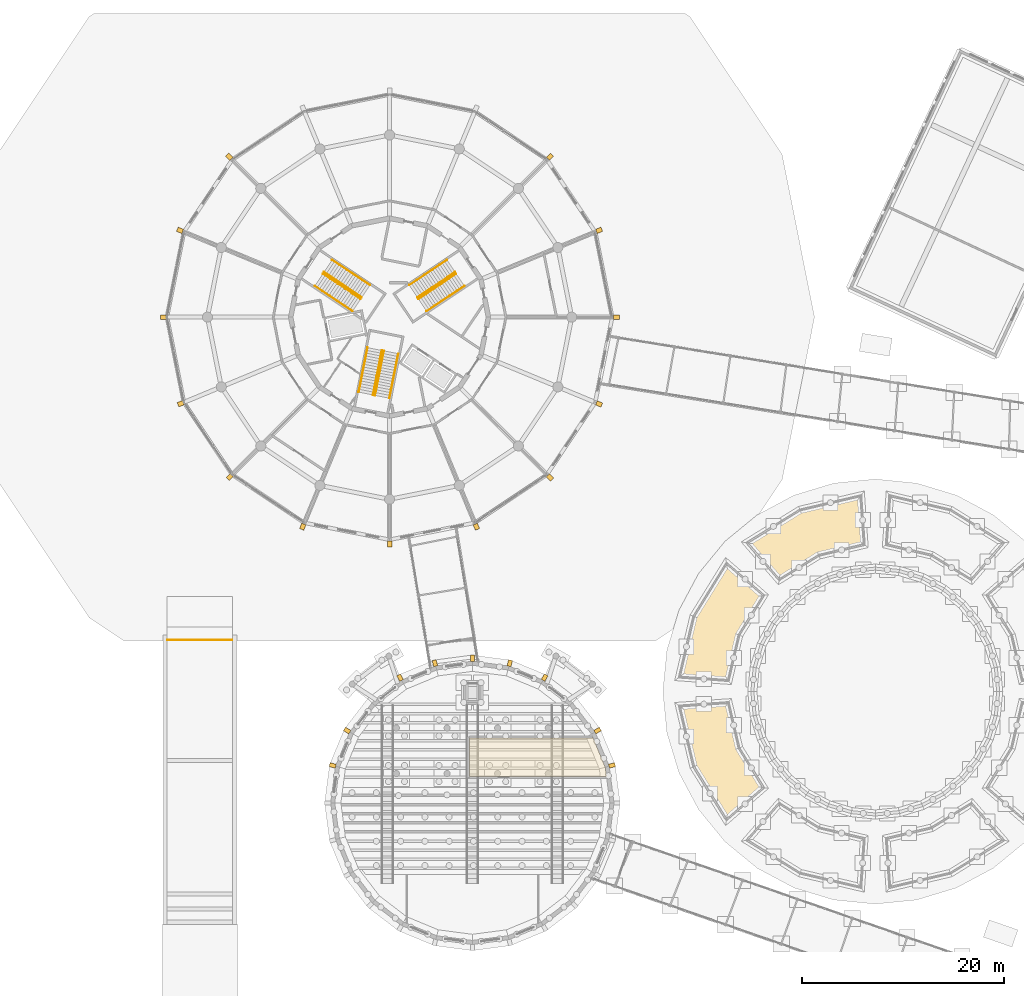
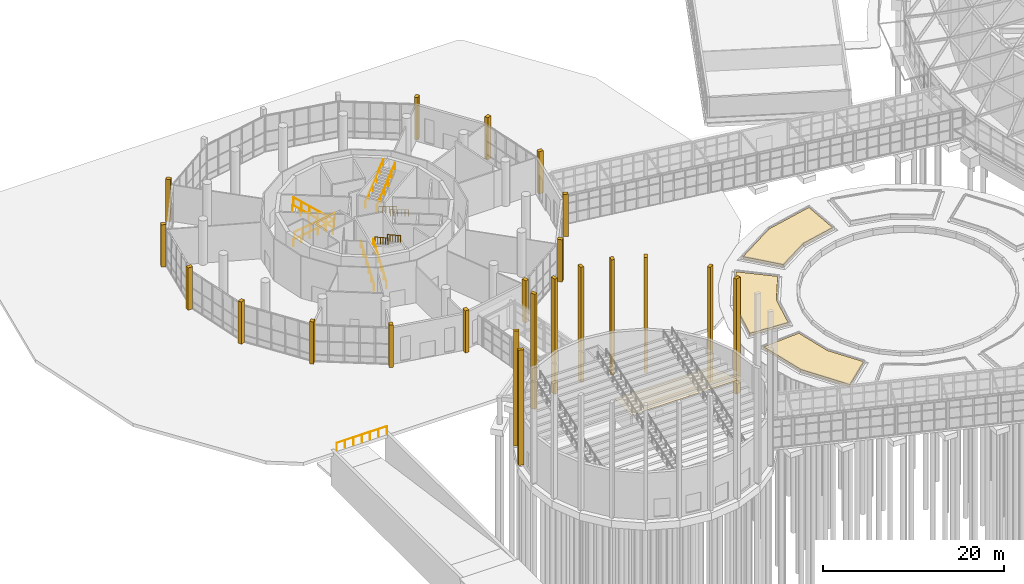
# One storey, part 214 of 226: 30 coverings, 13 railings.
"""IFC4 building model written with IfcOpenShell, lengths in metres."""

from ifc_helpers import new_model, si_unit, direction, frame, origin, origin_2d, place, context, subcontext, project, spatial, polyline, rectangle, circle, outline, extrude, material, layer, layer_set, type_object, element, save


model = new_model("IFC4")

# Units and contexts
model_context = context("Model", 3, precision=1e-05, world=origin(), true_north=direction((0.0, 1.0)))
body_context = subcontext(model_context, "Body", "Model", "MODEL_VIEW")
ifc_project = project(units=[si_unit("LENGTHUNIT", "METRE"), si_unit("AREAUNIT", "SQUARE_METRE"), si_unit("VOLUMEUNIT", "CUBIC_METRE"), si_unit("PLANEANGLEUNIT", "RADIAN"), si_unit("MASSUNIT", "GRAM", prefix="KILO")], contexts=[model_context])

# Site, building, storey
site_placement = place(None, origin())
site = spatial("IfcSite", under=ifc_project, at=site_placement, CompositionType="ELEMENT")
building_placement = place(site_placement, origin())
building = spatial("IfcBuilding", under=site, at=building_placement, Name="Ceibo Conservatory and Research Tower", CompositionType="ELEMENT")
storey_placement = place(building_placement, origin())
storey = spatial("IfcBuildingStorey", under=building, at=storey_placement, Name="L00", CompositionType="ELEMENT", Elevation=0.0)

# Covering
ifc_material_1 = material(Name="Aluminium ceiling panel", Category="aluminium")
ifc_layer_1 = layer(ifc_material_1, 0.050048828125)
ifc_layer_set_1 = layer_set([ifc_layer_1], Name="Aluminium ceiling panel")
covering_type_1 = type_object("IfcCoveringType", Name="Ceiling panel 50", PredefinedType="CEILING", material=ifc_layer_set_1)
covering_1_placement = place(storey_placement, frame((0.0, 0.0, 2.5)))
element("IfcCovering", 1, at=covering_1_placement, inside=storey, type_object=covering_type_1, Name="Ceiling plant room", PredefinedType="CEILING", context=body_context, shape_type="SweptSolid", body=[
    extrude(outline(polyline([(69.434326171875, 74.60009765625), (69.313232421875, 75.51904296875), (68.07861328125, 78.5), (68.07861328125, 78.39990234375), (55.89990234375, 78.39990234375), (55.89990234375, 74.60009765625), (69.434326171875, 74.60009765625)])), origin(), (0.0, 0.0, 1.0), 0.050048828125),
])

# Railing
ifc_material_2 = material(Name="Stainless steel AISI 316", Category="steel")
railing_type_1 = type_object("IfcRailingType", Name="Guard 1100", PredefinedType="GUARDRAIL", material=ifc_material_2)
railing_1_placement = place(storey_placement, frame((26.050048828125, 88.10009765625, 0.0)))
element("IfcRailing", 2, at=railing_1_placement, inside=storey, type_object=railing_type_1, Name="Ramp portal guard", PredefinedType="GUARDRAIL", context=body_context, shape_type="SweptSolid", body=[
    extrude(circle(Radius=0.02392578125, at=origin_2d()), frame((0.0, 0.0, 1.076171875), z_axis=(1.0, 0.0, 0.0), x_axis=(0.0, 1.0, 0.0)), (0.0, 0.0, 1.0), 6.39990234375),
    extrude(circle(Radius=0.02099609375, at=origin_2d()), origin(), (0.0, 0.0, 1.0), 1.052001953125),
    extrude(circle(Radius=0.02099609375, at=origin_2d()), frame((1.066650390625, 0.0, 0.0)), (0.0, 0.0, 1.0), 1.052001953125),
    extrude(circle(Radius=0.02099609375, at=origin_2d()), frame((2.13330078125, 0.0, 0.0)), (0.0, 0.0, 1.0), 1.052001953125),
    extrude(circle(Radius=0.02099609375, at=origin_2d()), frame((3.199951171875, 0.0, 0.0)), (0.0, 0.0, 1.0), 1.052001953125),
    extrude(circle(Radius=0.02099609375, at=origin_2d()), frame((4.2666015625, 0.0, 0.0)), (0.0, 0.0, 1.0), 1.052001953125),
    extrude(circle(Radius=0.02099609375, at=origin_2d()), frame((5.333251953125, 0.0, 0.0)), (0.0, 0.0, 1.0), 1.052001953125),
    extrude(circle(Radius=0.02099609375, at=origin_2d()), frame((6.39990234375, 0.0, 0.0)), (0.0, 0.0, 1.0), 1.052001953125),
])

# Coverings
ifc_material_3 = material(Name="Planting soil")
ifc_layer_2 = layer(ifc_material_3, 0.300048828125)
ifc_layer_set_2 = layer_set([ifc_layer_2], Name="Planting soil")
covering_type_2 = type_object("IfcCoveringType", Name="Planting bed soil 300", PredefinedType="FLOORING", material=ifc_layer_set_2)
covering_2_placement = place(storey_placement, origin())
element("IfcCovering", 3, at=covering_2_placement, inside=storey, type_object=covering_type_2, Name="Ceibo Court planting bed PB3", PredefinedType="FLOORING", context=body_context, shape_type="SweptSolid", body=[
    extrude(outline(polyline([(94.830078125, 97.58154296875), (94.50244140625, 102.26611328125), (88.595947265625, 100.875244140625), (83.435791015625, 97.68212890625), (86.5166015625, 94.137939453125), (90.392822265625, 96.53662109375), (94.830078125, 97.58154296875)])), origin(), (0.0, 0.0, 1.0), 0.300048828125),
])
covering_3_placement = place(storey_placement, origin())
element("IfcCovering", 4, at=covering_3_placement, inside=storey, type_object=covering_type_2, Name="Ceibo Court planting bed PB4", PredefinedType="FLOORING", context=body_context, shape_type="SweptSolid", body=[
    extrude(outline(polyline([(84.862060546875, 92.4833984375), (81.31787109375, 95.564208984375), (78.124755859375, 90.404052734375), (76.73388671875, 84.49755859375), (81.41845703125, 84.169921875), (82.46337890625, 88.607177734375), (84.862060546875, 92.4833984375)])), origin(), (0.0, 0.0, 1.0), 0.300048828125),
])
covering_4_placement = place(storey_placement, origin())
element("IfcCovering", 5, at=covering_4_placement, inside=storey, type_object=covering_type_2, Name="Ceibo Court planting bed PB5", PredefinedType="FLOORING", context=body_context, shape_type="SweptSolid", body=[
    extrude(outline(polyline([(81.41845703125, 81.830078125), (76.73388671875, 81.50244140625), (78.124755859375, 75.595947265625), (81.31787109375, 70.435791015625), (84.862060546875, 73.5166015625), (82.46337890625, 77.392822265625), (81.41845703125, 81.830078125)])), origin(), (0.0, 0.0, 1.0), 0.300048828125),
])
ifc_material_4 = material(Name="Concrete C35/45", Category="concrete")
covering_type_3 = type_object("IfcCoveringType", Name="Precast concrete pier 450x550", PredefinedType="CLADDING", material=ifc_material_4)
for number, where, z_axis, x_axis, name in (
    (6, (70.41796875, 120.0, 0.0), (0.0, 0.0, 1.0), (1.0, 0.0, 0.0), "Precast pier 00.01"),
    (7, (68.71142578125, 128.578857421875, 0.0), (0.0, 0.0, 1.0), (0.923879532511, 0.382683432365, 0.0), "Precast pier 00.02"),
    (8, (63.851806640625, 135.851806640625, 0.0), (0.0, 0.0, 1.0), (0.707106781187, 0.707106781187, 0.0), "Precast pier 00.03"),
    (9, (32.148193359375, 135.851806640625, 0.0), (0.0, 0.0, 1.0), (-0.707106781187, 0.707106781187, 0.0), "Precast pier 00.07"),
    (10, (27.28857421875, 128.578857421875, 0.0), (0.0, 0.0, 1.0), (-0.923879532511, 0.382683432365, 0.0), "Precast pier 00.08"),
    (11, (25.6533203125, 120.0, 0.0), (0.0, 0.0, 1.0), (-1.0, 0.0, 0.0), "Precast pier 00.09"),
    (12, (27.3544921875, 111.4482421875, 0.0), (0.0, 0.0, 1.0), (-0.923879532511, -0.382683432365, 0.0), "Precast pier 00.10"),
    (13, (32.198486328125, 104.198486328125, 0.0), (0.0, 0.0, 1.0), (-0.707106781187, -0.707106781187, 0.0), "Precast pier 00.11"),
    (14, (39.421142578125, 99.28857421875, 0.0), (0.0, 0.0, 1.0), (-0.382683432365, -0.923879532511, 0.0), "Precast pier 00.12"),
    (15, (48.0, 97.58203125, 0.0), (0.0, 0.0, 1.0), (0.0, -1.0, 0.0), "Precast pier 00.13"),
    (16, (56.578857421875, 99.28857421875, 0.0), (0.0, 0.0, 1.0), (0.382683432365, -0.923879532511, 0.0), "Precast pier 00.14"),
    (17, (63.851806640625, 104.148193359375, 0.0), (0.0, 0.0, 1.0), (0.707106781187, -0.707106781187, 0.0), "Precast pier 00.15"),
    (18, (68.71142578125, 111.421142578125, 0.0), (0.0, 0.0, 1.0), (0.923879532511, -0.382683432365, 0.0), "Precast pier 00.16"),
):
    element("IfcCovering", number, at=place(storey_placement, frame(where, z_axis=z_axis, x_axis=x_axis)), inside=storey, type_object=covering_type_3, Name=name, PredefinedType="CLADDING", context=body_context, shape_type="SweptSolid", body=[
        extrude(rectangle(XDim=0.570068359375, YDim=0.449951171875, at=origin_2d()), origin(), (0.0, 0.0, 1.0), 5.699951171875),
    ])
covering_type_4 = type_object("IfcCoveringType", Name="Precast concrete rib 400x600", PredefinedType="CLADDING", material=ifc_material_4)
for number, where, z_axis, x_axis, name in (
    (19, (69.983154296875, 75.698486328125, 0.0), (0.0, 0.0, 1.0), (0.965925826289, 0.258819045103, 0.0), "Concrete rib 01"),
    (20, (68.5556640625, 79.14501953125, 0.0), (0.0, 0.0, 1.0), (0.866025403784, 0.5, 0.0), "Concrete rib 02"),
):
    element("IfcCovering", number, at=place(storey_placement, frame(where, z_axis=z_axis, x_axis=x_axis)), inside=storey, type_object=covering_type_4, Name=name, PredefinedType="CLADDING", context=body_context, shape_type="SweptSolid", body=[
        extrude(rectangle(XDim=0.6201171875, YDim=0.39990234375, at=origin_2d()), origin(), (0.0, 0.0, 1.0), 15.550048828125),
    ])
covering_5_placement = place(storey_placement, frame((63.3251953125, 84.37548828125, 0.0), z_axis=(0.0, 0.0, 1.0), x_axis=(0.5, 0.866025403784, 0.0)))
element("IfcCovering", 21, at=covering_5_placement, inside=storey, type_object=covering_type_4, Name="Concrete rib 04 A", PredefinedType="CLADDING", context=body_context, shape_type="SweptSolid", body=[
    extrude(rectangle(XDim=0.6201171875, YDim=0.39990234375, at=origin_2d()), origin(), (0.0, 0.0, 1.0), 3.60009765625),
])
covering_6_placement = place(storey_placement, frame((63.3251953125, 84.37548828125, 3.800048828125), z_axis=(0.0, 0.0, 1.0), x_axis=(0.5, 0.866025403784, 0.0)))
element("IfcCovering", 22, at=covering_6_placement, inside=storey, type_object=covering_type_4, Name="Concrete rib 04 B", PredefinedType="CLADDING", context=body_context, shape_type="SweptSolid", body=[
    extrude(rectangle(XDim=0.6201171875, YDim=0.39990234375, at=origin_2d()), origin(), (0.0, 0.0, 1.0), 11.75),
])
covering_7_placement = place(storey_placement, frame((59.878662109375, 85.802978515625, 0.0), z_axis=(0.0, 0.0, 1.0), x_axis=(0.258819045103, 0.965925826289, 0.0)))
element("IfcCovering", 23, at=covering_7_placement, inside=storey, type_object=covering_type_4, Name="Concrete rib 05", PredefinedType="CLADDING", context=body_context, shape_type="SweptSolid", body=[
    extrude(rectangle(XDim=0.6201171875, YDim=0.39990234375, at=origin_2d()), origin(), (0.0, 0.0, 1.0), 15.550048828125),
])
covering_8_placement = place(storey_placement, frame((56.18017578125, 86.2900390625, 0.0), z_axis=(0.0, 0.0, 1.0), x_axis=(0.0, 1.0, 0.0)))
element("IfcCovering", 24, at=covering_8_placement, inside=storey, type_object=covering_type_4, Name="Concrete rib 06 A", PredefinedType="CLADDING", context=body_context, shape_type="SweptSolid", body=[
    extrude(rectangle(XDim=0.6201171875, YDim=0.39990234375, at=origin_2d()), origin(), (0.0, 0.0, 1.0), 4.0),
])
covering_9_placement = place(storey_placement, frame((56.18017578125, 86.2900390625, 4.199951171875), z_axis=(0.0, 0.0, 1.0), x_axis=(0.0, 1.0, 0.0)))
element("IfcCovering", 25, at=covering_9_placement, inside=storey, type_object=covering_type_4, Name="Concrete rib 06 B", PredefinedType="CLADDING", context=body_context, shape_type="SweptSolid", body=[
    extrude(rectangle(XDim=0.6201171875, YDim=0.39990234375, at=origin_2d()), origin(), (0.0, 0.0, 1.0), 11.35009765625),
])
covering_10_placement = place(storey_placement, frame((52.4814453125, 85.802978515625, 0.0), z_axis=(0.0, 0.0, 1.0), x_axis=(-0.258819045103, 0.965925826289, 0.0)))
element("IfcCovering", 26, at=covering_10_placement, inside=storey, type_object=covering_type_4, Name="Concrete rib 07 A", PredefinedType="CLADDING", context=body_context, shape_type="SweptSolid", body=[
    extrude(rectangle(XDim=0.6201171875, YDim=0.39990234375, at=origin_2d()), origin(), (0.0, 0.0, 1.0), 4.0),
])
covering_11_placement = place(storey_placement, frame((52.4814453125, 85.802978515625, 4.199951171875), z_axis=(0.0, 0.0, 1.0), x_axis=(-0.258819045103, 0.965925826289, 0.0)))
element("IfcCovering", 27, at=covering_11_placement, inside=storey, type_object=covering_type_4, Name="Concrete rib 07 B", PredefinedType="CLADDING", context=body_context, shape_type="SweptSolid", body=[
    extrude(rectangle(XDim=0.6201171875, YDim=0.39990234375, at=origin_2d()), origin(), (0.0, 0.0, 1.0), 11.35009765625),
])
covering_12_placement = place(storey_placement, frame((49.03515625, 84.37548828125, 0.0), z_axis=(0.0, 0.0, 1.0), x_axis=(-0.5, 0.866025403784, 0.0)))
element("IfcCovering", 28, at=covering_12_placement, inside=storey, type_object=covering_type_4, Name="Concrete rib 08 A", PredefinedType="CLADDING", context=body_context, shape_type="SweptSolid", body=[
    extrude(rectangle(XDim=0.6201171875, YDim=0.39990234375, at=origin_2d()), origin(), (0.0, 0.0, 1.0), 3.60009765625),
])
covering_13_placement = place(storey_placement, frame((49.03515625, 84.37548828125, 3.800048828125), z_axis=(0.0, 0.0, 1.0), x_axis=(-0.5, 0.866025403784, 0.0)))
element("IfcCovering", 29, at=covering_13_placement, inside=storey, type_object=covering_type_4, Name="Concrete rib 08 B", PredefinedType="CLADDING", context=body_context, shape_type="SweptSolid", body=[
    extrude(rectangle(XDim=0.6201171875, YDim=0.39990234375, at=origin_2d()), origin(), (0.0, 0.0, 1.0), 11.75),
])
for number, where, z_axis, x_axis, name in (
    (30, (43.8046875, 79.14501953125, 0.0), (0.0, 0.0, 1.0), (-0.866025403784, 0.5, 0.0), "Concrete rib 10"),
    (31, (42.376953125, 75.698486328125, 0.0), (0.0, 0.0, 1.0), (-0.965925826289, 0.258819045103, 0.0), "Concrete rib 11"),
):
    element("IfcCovering", number, at=place(storey_placement, frame(where, z_axis=z_axis, x_axis=x_axis)), inside=storey, type_object=covering_type_4, Name=name, PredefinedType="CLADDING", context=body_context, shape_type="SweptSolid", body=[
        extrude(rectangle(XDim=0.6201171875, YDim=0.39990234375, at=origin_2d()), origin(), (0.0, 0.0, 1.0), 15.550048828125),
    ])

# Railings
railing_type_2 = type_object("IfcRailingType", Name="Stair handrail 900", PredefinedType="HANDRAIL", material=ifc_material_2)
railing_2_placement = place(storey_placement, frame((55.394287109375, 123.07763671875, 0.176513671875)))
element("IfcRailing", 32, at=railing_2_placement, inside=storey, type_object=railing_type_2, Name="Handrail ST1 00 1a", PredefinedType="HANDRAIL", context=body_context, shape_type="SweptSolid", body=[
    extrude(circle(Radius=0.02392578125, at=origin_2d()), frame((0.0, 0.0, 0.8759765625), z_axis=(-0.703444862262, -0.469977515133, 0.533185203307), x_axis=(0.555529932809, -0.83149653863, 0.0)), (0.0, 0.0, 1.0), 5.29541015625),
    extrude(circle(Radius=0.02099609375, at=origin_2d()), origin(), (0.0, 0.0, 1.0), 0.851806640625),
    extrude(circle(Radius=0.02099609375, at=origin_2d()), frame((-0.7451171875, -0.497802734375, 0.564697265625)), (0.0, 0.0, 1.0), 0.851806640625),
    extrude(circle(Radius=0.02099609375, at=origin_2d()), frame((-1.489990234375, -0.99560546875, 1.12939453125)), (0.0, 0.0, 1.0), 0.851806640625),
    extrude(circle(Radius=0.02099609375, at=origin_2d()), frame((-2.235107421875, -1.4931640625, 1.694091796875)), (0.0, 0.0, 1.0), 0.851806640625),
    extrude(circle(Radius=0.02099609375, at=origin_2d()), frame((-2.97998046875, -1.990966796875, 2.2587890625)), (0.0, 0.0, 1.0), 0.851806640625),
    extrude(circle(Radius=0.02099609375, at=origin_2d()), frame((-3.72509765625, -2.48876953125, 2.823486328125)), (0.0, 0.0, 1.0), 0.851806640625),
])
railing_3_placement = place(storey_placement, frame((54.589599609375, 124.28173828125, 0.176513671875)))
element("IfcRailing", 33, at=railing_3_placement, inside=storey, type_object=railing_type_2, Name="Handrail ST1 00 1b", PredefinedType="HANDRAIL", context=body_context, shape_type="SweptSolid", body=[
    extrude(circle(Radius=0.02392578125, at=origin_2d()), frame((0.0, 0.0, 0.8759765625), z_axis=(-0.703406328664, -0.470028676721, 0.533190941273), x_axis=(0.555592782564, -0.831454544736, 0.0)), (0.0, 0.0, 1.0), 5.29541015625),
    extrude(circle(Radius=0.02099609375, at=origin_2d()), origin(), (0.0, 0.0, 1.0), 0.851806640625),
    extrude(circle(Radius=0.02099609375, at=origin_2d()), frame((-0.744873046875, -0.497802734375, 0.564697265625)), (0.0, 0.0, 1.0), 0.851806640625),
    extrude(circle(Radius=0.02099609375, at=origin_2d()), frame((-1.489990234375, -0.99560546875, 1.12939453125)), (0.0, 0.0, 1.0), 0.851806640625),
    extrude(circle(Radius=0.02099609375, at=origin_2d()), frame((-2.23486328125, -1.493408203125, 1.694091796875)), (0.0, 0.0, 1.0), 0.851806640625),
    extrude(circle(Radius=0.02099609375, at=origin_2d()), frame((-2.97998046875, -1.9912109375, 2.2587890625)), (0.0, 0.0, 1.0), 0.851806640625),
    extrude(circle(Radius=0.02099609375, at=origin_2d()), frame((-3.724853515625, -2.489013671875, 2.823486328125)), (0.0, 0.0, 1.0), 0.851806640625),
])
railing_4_placement = place(storey_placement, frame((49.947998046875, 123.16455078125, 3.176513671875)))
element("IfcRailing", 34, at=railing_4_placement, inside=storey, type_object=railing_type_2, Name="Handrail ST1 00 2a", PredefinedType="HANDRAIL", context=body_context, shape_type="SweptSolid", body=[
    extrude(circle(Radius=0.02392578125, at=origin_2d()), frame((0.0, 0.0, 0.8759765625), z_axis=(0.703444862262, 0.469977515133, 0.533185203307), x_axis=(-0.555529932809, 0.83149653863, 0.0)), (0.0, 0.0, 1.0), 5.29541015625),
    extrude(circle(Radius=0.02099609375, at=origin_2d()), origin(), (0.0, 0.0, 1.0), 0.851806640625),
    extrude(circle(Radius=0.02099609375, at=origin_2d()), frame((0.7451171875, 0.497802734375, 0.564697265625)), (0.0, 0.0, 1.0), 0.851806640625),
    extrude(circle(Radius=0.02099609375, at=origin_2d()), frame((1.489990234375, 0.99560546875, 1.12939453125)), (0.0, 0.0, 1.0), 0.851806640625),
    extrude(circle(Radius=0.02099609375, at=origin_2d()), frame((2.235107421875, 1.4931640625, 1.694091796875)), (0.0, 0.0, 1.0), 0.851806640625),
    extrude(circle(Radius=0.02099609375, at=origin_2d()), frame((2.97998046875, 1.990966796875, 2.2587890625)), (0.0, 0.0, 1.0), 0.851806640625),
    extrude(circle(Radius=0.02099609375, at=origin_2d()), frame((3.72509765625, 2.48876953125, 2.823486328125)), (0.0, 0.0, 1.0), 0.851806640625),
])
railing_5_placement = place(storey_placement, frame((50.752685546875, 121.96044921875, 3.176513671875)))
element("IfcRailing", 35, at=railing_5_placement, inside=storey, type_object=railing_type_2, Name="Handrail ST1 00 2b", PredefinedType="HANDRAIL", context=body_context, shape_type="SweptSolid", body=[
    extrude(circle(Radius=0.02392578125, at=origin_2d()), frame((0.0, 0.0, 0.8759765625), z_axis=(0.703406328664, 0.470028676721, 0.533190941273), x_axis=(-0.555592782564, 0.831454544736, 0.0)), (0.0, 0.0, 1.0), 5.29541015625),
    extrude(circle(Radius=0.02099609375, at=origin_2d()), origin(), (0.0, 0.0, 1.0), 0.851806640625),
    extrude(circle(Radius=0.02099609375, at=origin_2d()), frame((0.744873046875, 0.497802734375, 0.564697265625)), (0.0, 0.0, 1.0), 0.851806640625),
    extrude(circle(Radius=0.02099609375, at=origin_2d()), frame((1.489990234375, 0.99560546875, 1.12939453125)), (0.0, 0.0, 1.0), 0.851806640625),
    extrude(circle(Radius=0.02099609375, at=origin_2d()), frame((2.23486328125, 1.493408203125, 1.694091796875)), (0.0, 0.0, 1.0), 0.851806640625),
    extrude(circle(Radius=0.02099609375, at=origin_2d()), frame((2.97998046875, 1.9912109375, 2.2587890625)), (0.0, 0.0, 1.0), 0.851806640625),
    extrude(circle(Radius=0.02099609375, at=origin_2d()), frame((3.724853515625, 2.489013671875, 2.823486328125)), (0.0, 0.0, 1.0), 0.851806640625),
])
railing_6_placement = place(storey_placement, frame((42.3271484375, 125.653564453125, 0.176513671875)))
element("IfcRailing", 36, at=railing_6_placement, inside=storey, type_object=railing_type_2, Name="Handrail ST2 00 1a", PredefinedType="HANDRAIL", context=body_context, shape_type="SweptSolid", body=[
    extrude(circle(Radius=0.02392578125, at=origin_2d()), frame((0.0, 0.0, 0.8759765625), z_axis=(0.703406328664, -0.470028676721, 0.533190941273), x_axis=(0.555592782564, 0.831454544736, 0.0)), (0.0, 0.0, 1.0), 5.29541015625),
    extrude(circle(Radius=0.02099609375, at=origin_2d()), origin(), (0.0, 0.0, 1.0), 0.851806640625),
    extrude(circle(Radius=0.02099609375, at=origin_2d()), frame((0.744873046875, -0.497802734375, 0.564697265625)), (0.0, 0.0, 1.0), 0.851806640625),
    extrude(circle(Radius=0.02099609375, at=origin_2d()), frame((1.489990234375, -0.99560546875, 1.12939453125)), (0.0, 0.0, 1.0), 0.851806640625),
    extrude(circle(Radius=0.02099609375, at=origin_2d()), frame((2.23486328125, -1.493408203125, 1.694091796875)), (0.0, 0.0, 1.0), 0.851806640625),
    extrude(circle(Radius=0.02099609375, at=origin_2d()), frame((2.97998046875, -1.9912109375, 2.2587890625)), (0.0, 0.0, 1.0), 0.851806640625),
    extrude(circle(Radius=0.02099609375, at=origin_2d()), frame((3.724853515625, -2.489013671875, 2.823486328125)), (0.0, 0.0, 1.0), 0.851806640625),
])
railing_7_placement = place(storey_placement, frame((41.5224609375, 124.449462890625, 0.176513671875)))
element("IfcRailing", 37, at=railing_7_placement, inside=storey, type_object=railing_type_2, Name="Handrail ST2 00 1b", PredefinedType="HANDRAIL", context=body_context, shape_type="SweptSolid", body=[
    extrude(circle(Radius=0.02392578125, at=origin_2d()), frame((0.0, 0.0, 0.8759765625), z_axis=(0.703444862262, -0.469977515133, 0.533185203307), x_axis=(0.555529932809, 0.83149653863, 0.0)), (0.0, 0.0, 1.0), 5.29541015625),
    extrude(circle(Radius=0.02099609375, at=origin_2d()), origin(), (0.0, 0.0, 1.0), 0.851806640625),
    extrude(circle(Radius=0.02099609375, at=origin_2d()), frame((0.7451171875, -0.497802734375, 0.564697265625)), (0.0, 0.0, 1.0), 0.851806640625),
    extrude(circle(Radius=0.02099609375, at=origin_2d()), frame((1.489990234375, -0.99560546875, 1.12939453125)), (0.0, 0.0, 1.0), 0.851806640625),
    extrude(circle(Radius=0.02099609375, at=origin_2d()), frame((2.235107421875, -1.4931640625, 1.694091796875)), (0.0, 0.0, 1.0), 0.851806640625),
    extrude(circle(Radius=0.02099609375, at=origin_2d()), frame((2.97998046875, -1.990966796875, 2.2587890625)), (0.0, 0.0, 1.0), 0.851806640625),
    extrude(circle(Radius=0.02099609375, at=origin_2d()), frame((3.72509765625, -2.48876953125, 2.823486328125)), (0.0, 0.0, 1.0), 0.851806640625),
])
railing_8_placement = place(storey_placement, frame((44.330810546875, 120.588623046875, 3.176513671875)))
element("IfcRailing", 38, at=railing_8_placement, inside=storey, type_object=railing_type_2, Name="Handrail ST2 00 2a", PredefinedType="HANDRAIL", context=body_context, shape_type="SweptSolid", body=[
    extrude(circle(Radius=0.02392578125, at=origin_2d()), frame((0.0, 0.0, 0.8759765625), z_axis=(-0.703406328664, 0.470028676721, 0.533190941273), x_axis=(-0.555592782564, -0.831454544736, 0.0)), (0.0, 0.0, 1.0), 5.29541015625),
    extrude(circle(Radius=0.02099609375, at=origin_2d()), origin(), (0.0, 0.0, 1.0), 0.851806640625),
    extrude(circle(Radius=0.02099609375, at=origin_2d()), frame((-0.744873046875, 0.497802734375, 0.564697265625)), (0.0, 0.0, 1.0), 0.851806640625),
    extrude(circle(Radius=0.02099609375, at=origin_2d()), frame((-1.489990234375, 0.99560546875, 1.12939453125)), (0.0, 0.0, 1.0), 0.851806640625),
    extrude(circle(Radius=0.02099609375, at=origin_2d()), frame((-2.23486328125, 1.493408203125, 1.694091796875)), (0.0, 0.0, 1.0), 0.851806640625),
    extrude(circle(Radius=0.02099609375, at=origin_2d()), frame((-2.97998046875, 1.9912109375, 2.2587890625)), (0.0, 0.0, 1.0), 0.851806640625),
    extrude(circle(Radius=0.02099609375, at=origin_2d()), frame((-3.724853515625, 2.489013671875, 2.823486328125)), (0.0, 0.0, 1.0), 0.851806640625),
])
railing_9_placement = place(storey_placement, frame((45.135498046875, 121.792724609375, 3.176513671875)))
element("IfcRailing", 39, at=railing_9_placement, inside=storey, type_object=railing_type_2, Name="Handrail ST2 00 2b", PredefinedType="HANDRAIL", context=body_context, shape_type="SweptSolid", body=[
    extrude(circle(Radius=0.02392578125, at=origin_2d()), frame((0.0, 0.0, 0.8759765625), z_axis=(-0.703444862262, 0.469977515133, 0.533185203307), x_axis=(-0.555529932809, -0.83149653863, 0.0)), (0.0, 0.0, 1.0), 5.29541015625),
    extrude(circle(Radius=0.02099609375, at=origin_2d()), origin(), (0.0, 0.0, 1.0), 0.851806640625),
    extrude(circle(Radius=0.02099609375, at=origin_2d()), frame((-0.7451171875, 0.497802734375, 0.564697265625)), (0.0, 0.0, 1.0), 0.851806640625),
    extrude(circle(Radius=0.02099609375, at=origin_2d()), frame((-1.489990234375, 0.99560546875, 1.12939453125)), (0.0, 0.0, 1.0), 0.851806640625),
    extrude(circle(Radius=0.02099609375, at=origin_2d()), frame((-2.235107421875, 1.4931640625, 1.694091796875)), (0.0, 0.0, 1.0), 0.851806640625),
    extrude(circle(Radius=0.02099609375, at=origin_2d()), frame((-2.97998046875, 1.990966796875, 2.2587890625)), (0.0, 0.0, 1.0), 0.851806640625),
    extrude(circle(Radius=0.02099609375, at=origin_2d()), frame((-3.72509765625, 2.48876953125, 2.823486328125)), (0.0, 0.0, 1.0), 0.851806640625),
])
railing_10_placement = place(storey_placement, frame((44.94775390625, 112.595458984375, 0.176513671875)))
element("IfcRailing", 40, at=railing_10_placement, inside=storey, type_object=railing_type_2, Name="Handrail ST3 00 1a", PredefinedType="HANDRAIL", context=body_context, shape_type="SweptSolid", body=[
    extrude(circle(Radius=0.02392578125, at=origin_2d()), frame((0.0, 0.0, 0.8759765625), z_axis=(0.165052750734, 0.829735853341, 0.533194151464), x_axis=(-0.98078346467, 0.195099450104, 0.0)), (0.0, 0.0, 1.0), 5.29541015625),
    extrude(circle(Radius=0.02099609375, at=origin_2d()), origin(), (0.0, 0.0, 1.0), 0.851806640625),
    extrude(circle(Radius=0.02099609375, at=origin_2d()), frame((0.1748046875, 0.878662109375, 0.564697265625)), (0.0, 0.0, 1.0), 0.851806640625),
    extrude(circle(Radius=0.02099609375, at=origin_2d()), frame((0.349609375, 1.757568359375, 1.12939453125)), (0.0, 0.0, 1.0), 0.851806640625),
    extrude(circle(Radius=0.02099609375, at=origin_2d()), frame((0.5244140625, 2.63623046875, 1.694091796875)), (0.0, 0.0, 1.0), 0.851806640625),
    extrude(circle(Radius=0.02099609375, at=origin_2d()), frame((0.69921875, 3.51513671875, 2.2587890625)), (0.0, 0.0, 1.0), 0.851806640625),
    extrude(circle(Radius=0.02099609375, at=origin_2d()), frame((0.8740234375, 4.393798828125, 2.823486328125)), (0.0, 0.0, 1.0), 0.851806640625),
])
railing_11_placement = place(storey_placement, frame((46.3681640625, 112.312744140625, 0.176513671875)))
element("IfcRailing", 41, at=railing_11_placement, inside=storey, type_object=railing_type_2, Name="Handrail ST3 00 1b", PredefinedType="HANDRAIL", context=body_context, shape_type="SweptSolid", body=[
    extrude(circle(Radius=0.02392578125, at=origin_2d()), frame((0.0, 0.0, 0.8759765625), z_axis=(0.165001589928, 0.829756528506, 0.533177811544), x_axis=(-0.980795964514, 0.195036601678, 0.0)), (0.0, 0.0, 1.0), 5.295654296875),
    extrude(circle(Radius=0.02099609375, at=origin_2d()), origin(), (0.0, 0.0, 1.0), 0.851806640625),
    extrude(circle(Radius=0.02099609375, at=origin_2d()), frame((0.1748046875, 0.87890625, 0.564697265625)), (0.0, 0.0, 1.0), 0.851806640625),
    extrude(circle(Radius=0.02099609375, at=origin_2d()), frame((0.349609375, 1.757568359375, 1.12939453125)), (0.0, 0.0, 1.0), 0.851806640625),
    extrude(circle(Radius=0.02099609375, at=origin_2d()), frame((0.524169921875, 2.636474609375, 1.694091796875)), (0.0, 0.0, 1.0), 0.851806640625),
    extrude(circle(Radius=0.02099609375, at=origin_2d()), frame((0.698974609375, 3.51513671875, 2.2587890625)), (0.0, 0.0, 1.0), 0.851806640625),
    extrude(circle(Radius=0.02099609375, at=origin_2d()), frame((0.873779296875, 4.39404296875, 2.823486328125)), (0.0, 0.0, 1.0), 0.851806640625),
])
railing_12_placement = place(storey_placement, frame((48.8603515625, 116.384765625, 3.176513671875)))
element("IfcRailing", 42, at=railing_12_placement, inside=storey, type_object=railing_type_2, Name="Handrail ST3 00 2a", PredefinedType="HANDRAIL", context=body_context, shape_type="SweptSolid", body=[
    extrude(circle(Radius=0.02392578125, at=origin_2d()), frame((0.0, 0.0, 0.8759765625), z_axis=(-0.165052750734, -0.829735853341, 0.533194151464), x_axis=(0.98078346467, -0.195099450104, 0.0)), (0.0, 0.0, 1.0), 5.29541015625),
    extrude(circle(Radius=0.02099609375, at=origin_2d()), origin(), (0.0, 0.0, 1.0), 0.851806640625),
    extrude(circle(Radius=0.02099609375, at=origin_2d()), frame((-0.1748046875, -0.878662109375, 0.564697265625)), (0.0, 0.0, 1.0), 0.851806640625),
    extrude(circle(Radius=0.02099609375, at=origin_2d()), frame((-0.349609375, -1.757568359375, 1.12939453125)), (0.0, 0.0, 1.0), 0.851806640625),
    extrude(circle(Radius=0.02099609375, at=origin_2d()), frame((-0.5244140625, -2.63623046875, 1.694091796875)), (0.0, 0.0, 1.0), 0.851806640625),
    extrude(circle(Radius=0.02099609375, at=origin_2d()), frame((-0.69921875, -3.51513671875, 2.2587890625)), (0.0, 0.0, 1.0), 0.851806640625),
    extrude(circle(Radius=0.02099609375, at=origin_2d()), frame((-0.8740234375, -4.393798828125, 2.823486328125)), (0.0, 0.0, 1.0), 0.851806640625),
])
railing_13_placement = place(storey_placement, frame((47.43994140625, 116.66748046875, 3.176513671875)))
element("IfcRailing", 43, at=railing_13_placement, inside=storey, type_object=railing_type_2, Name="Handrail ST3 00 2b", PredefinedType="HANDRAIL", context=body_context, shape_type="SweptSolid", body=[
    extrude(circle(Radius=0.02392578125, at=origin_2d()), frame((0.0, 0.0, 0.8759765625), z_axis=(-0.165001589928, -0.829756528506, 0.533177811544), x_axis=(0.980795964514, -0.195036601678, 0.0)), (0.0, 0.0, 1.0), 5.295654296875),
    extrude(circle(Radius=0.02099609375, at=origin_2d()), origin(), (0.0, 0.0, 1.0), 0.851806640625),
    extrude(circle(Radius=0.02099609375, at=origin_2d()), frame((-0.1748046875, -0.87890625, 0.564697265625)), (0.0, 0.0, 1.0), 0.851806640625),
    extrude(circle(Radius=0.02099609375, at=origin_2d()), frame((-0.349609375, -1.757568359375, 1.12939453125)), (0.0, 0.0, 1.0), 0.851806640625),
    extrude(circle(Radius=0.02099609375, at=origin_2d()), frame((-0.524169921875, -2.636474609375, 1.694091796875)), (0.0, 0.0, 1.0), 0.851806640625),
    extrude(circle(Radius=0.02099609375, at=origin_2d()), frame((-0.698974609375, -3.51513671875, 2.2587890625)), (0.0, 0.0, 1.0), 0.851806640625),
    extrude(circle(Radius=0.02099609375, at=origin_2d()), frame((-0.873779296875, -4.39404296875, 2.823486328125)), (0.0, 0.0, 1.0), 0.851806640625),
])

save(model, "model.ifc")
